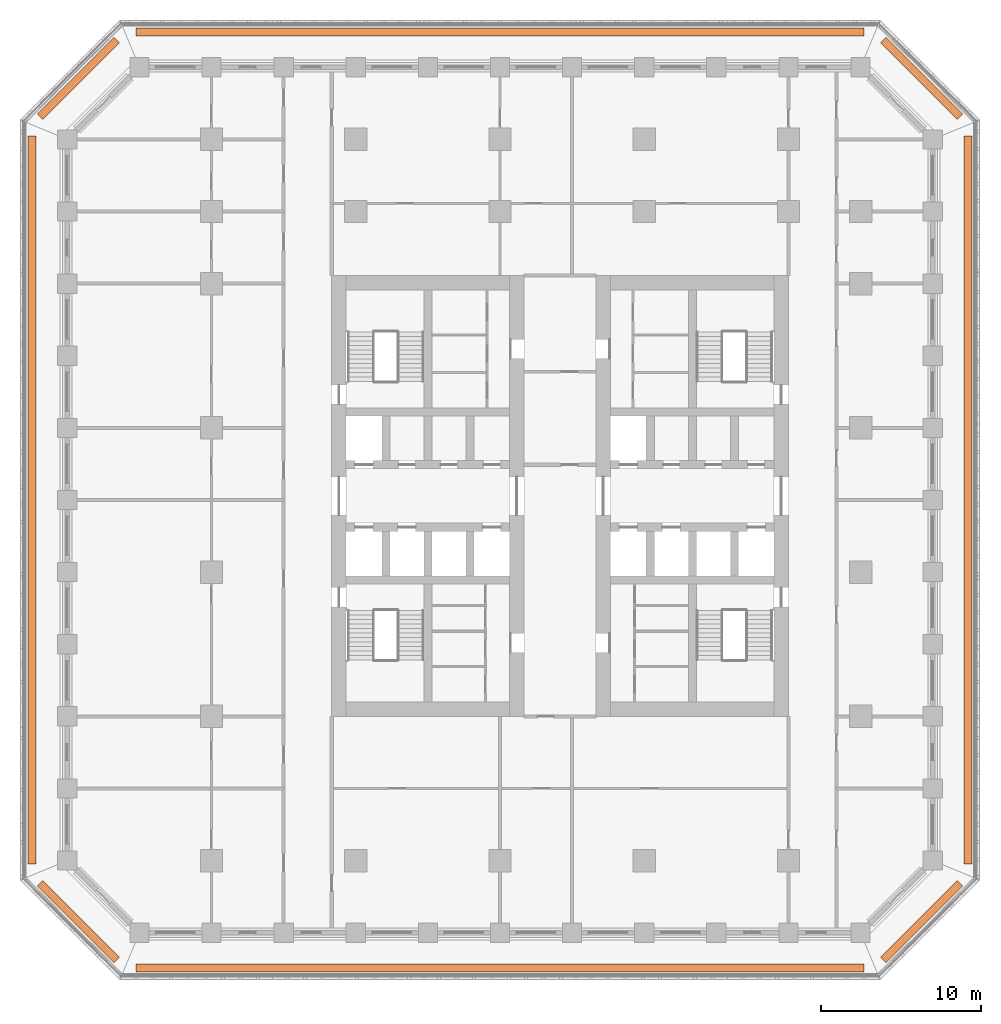
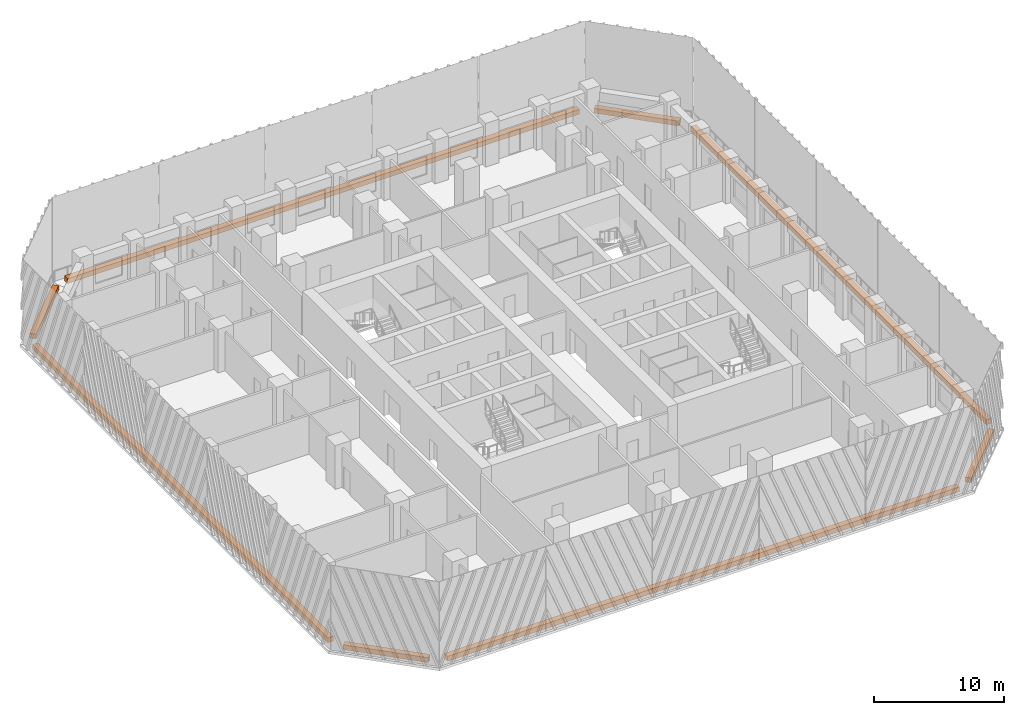
# One storey, part 19 of 19: 8 proxies.
"""IFC4 building model written with IfcOpenShell, lengths in metres."""

from ifc_helpers import new_model, si_unit, direction, frame, origin, origin_2d, place, context, subcontext, project, spatial, rectangle, extrude, material, type_object, element, save


model = new_model("IFC4")

# Units and contexts
model_context = context("Model", 3, precision=1e-05, world=origin(), true_north=direction((0.0, 1.0)))
body_context = subcontext(model_context, "Body", "Model", "MODEL_VIEW")
ifc_project = project(units=[si_unit("LENGTHUNIT", "METRE"), si_unit("AREAUNIT", "SQUARE_METRE"), si_unit("VOLUMEUNIT", "CUBIC_METRE"), si_unit("PLANEANGLEUNIT", "RADIAN"), si_unit("MASSUNIT", "GRAM", prefix="KILO")], contexts=[model_context])

# Site, building, storey
site_placement = place(None, origin())
site = spatial("IfcSite", under=ifc_project, at=site_placement, CompositionType="ELEMENT")
building_placement = place(site_placement, origin())
building = spatial("IfcBuilding", under=site, at=building_placement, Name="Corbel Stack Research Tower", CompositionType="ELEMENT")
storey_placement = place(building_placement, frame((0.0, 0.0, 133.10009765625)))
storey = spatial("IfcBuildingStorey", under=building, at=storey_placement, Name="L30", CompositionType="ELEMENT", Elevation=133.10009765625)

# Proxies
ifc_material = material(Name="Concrete C45/55", Category="concrete")
building_element_proxy_type = type_object("IfcBuildingElementProxyType", Name="Planter box", PredefinedType="USERDEFINED", material=ifc_material)
proxy_1_placement = place(storey_placement, frame((0.0, -24.699951171875, 0.0), z_axis=(0.0, 0.0, 1.0), x_axis=(1.0, 0.0, 0.0)))
element("IfcBuildingElementProxy", 1, at=proxy_1_placement, inside=storey, type_object=building_element_proxy_type, Name="Planter L30 S", ObjectType="PLANTER", PredefinedType="USERDEFINED", context=body_context, shape_type="SweptSolid", body=[
    extrude(rectangle(XDim=45.41064453125, YDim=0.5, at=origin_2d()), origin(), (0.0, 0.0, 1.0), 0.449951171875),
])
proxy_2_placement = place(storey_placement, frame((26.3056640625, -21.8056640625, 0.0), z_axis=(0.0, 0.0, 1.0), x_axis=(0.707106781187, 0.707106781187, 0.0)))
element("IfcBuildingElementProxy", 2, at=proxy_2_placement, inside=storey, type_object=building_element_proxy_type, Name="Planter L30 SE", ObjectType="PLANTER", PredefinedType="USERDEFINED", context=body_context, shape_type="SweptSolid", body=[
    extrude(rectangle(XDim=6.774658203125, YDim=0.5, at=origin_2d()), origin(), (0.0, 0.0, 1.0), 0.449951171875),
])
proxy_3_placement = place(storey_placement, frame((29.199951171875, 4.5, 0.0), z_axis=(0.0, 0.0, 1.0), x_axis=(0.0, 1.0, 0.0)))
element("IfcBuildingElementProxy", 3, at=proxy_3_placement, inside=storey, type_object=building_element_proxy_type, Name="Planter L30 E", ObjectType="PLANTER", PredefinedType="USERDEFINED", context=body_context, shape_type="SweptSolid", body=[
    extrude(rectangle(XDim=45.41064453125, YDim=0.5, at=origin_2d()), origin(), (0.0, 0.0, 1.0), 0.449951171875),
])
proxy_4_placement = place(storey_placement, frame((26.3056640625, 30.8056640625, 0.0), z_axis=(0.0, 0.0, 1.0), x_axis=(-0.707106781187, 0.707106781187, 0.0)))
element("IfcBuildingElementProxy", 4, at=proxy_4_placement, inside=storey, type_object=building_element_proxy_type, Name="Planter L30 NE", ObjectType="PLANTER", PredefinedType="USERDEFINED", context=body_context, shape_type="SweptSolid", body=[
    extrude(rectangle(XDim=6.774658203125, YDim=0.5, at=origin_2d()), origin(), (0.0, 0.0, 1.0), 0.449951171875),
])
proxy_5_placement = place(storey_placement, frame((0.0, 33.699951171875, 0.0), z_axis=(0.0, 0.0, 1.0), x_axis=(-1.0, 0.0, 0.0)))
element("IfcBuildingElementProxy", 5, at=proxy_5_placement, inside=storey, type_object=building_element_proxy_type, Name="Planter L30 N", ObjectType="PLANTER", PredefinedType="USERDEFINED", context=body_context, shape_type="SweptSolid", body=[
    extrude(rectangle(XDim=45.41064453125, YDim=0.5, at=origin_2d()), origin(), (0.0, 0.0, 1.0), 0.449951171875),
])
proxy_6_placement = place(storey_placement, frame((-26.3056640625, 30.8056640625, 0.0), z_axis=(0.0, 0.0, 1.0), x_axis=(-0.707106781187, -0.707106781187, 0.0)))
element("IfcBuildingElementProxy", 6, at=proxy_6_placement, inside=storey, type_object=building_element_proxy_type, Name="Planter L30 NW", ObjectType="PLANTER", PredefinedType="USERDEFINED", context=body_context, shape_type="SweptSolid", body=[
    extrude(rectangle(XDim=6.774658203125, YDim=0.5, at=origin_2d()), origin(), (0.0, 0.0, 1.0), 0.449951171875),
])
proxy_7_placement = place(storey_placement, frame((-29.199951171875, 4.5, 0.0), z_axis=(0.0, 0.0, 1.0), x_axis=(0.0, -1.0, 0.0)))
element("IfcBuildingElementProxy", 7, at=proxy_7_placement, inside=storey, type_object=building_element_proxy_type, Name="Planter L30 W", ObjectType="PLANTER", PredefinedType="USERDEFINED", context=body_context, shape_type="SweptSolid", body=[
    extrude(rectangle(XDim=45.41064453125, YDim=0.5, at=origin_2d()), origin(), (0.0, 0.0, 1.0), 0.449951171875),
])
proxy_8_placement = place(storey_placement, frame((-26.3056640625, -21.8056640625, 0.0), z_axis=(0.0, 0.0, 1.0), x_axis=(0.707106781187, -0.707106781187, 0.0)))
element("IfcBuildingElementProxy", 8, at=proxy_8_placement, inside=storey, type_object=building_element_proxy_type, Name="Planter L30 SW", ObjectType="PLANTER", PredefinedType="USERDEFINED", context=body_context, shape_type="SweptSolid", body=[
    extrude(rectangle(XDim=6.774658203125, YDim=0.5, at=origin_2d()), origin(), (0.0, 0.0, 1.0), 0.449951171875),
])

save(model, "model.ifc")
